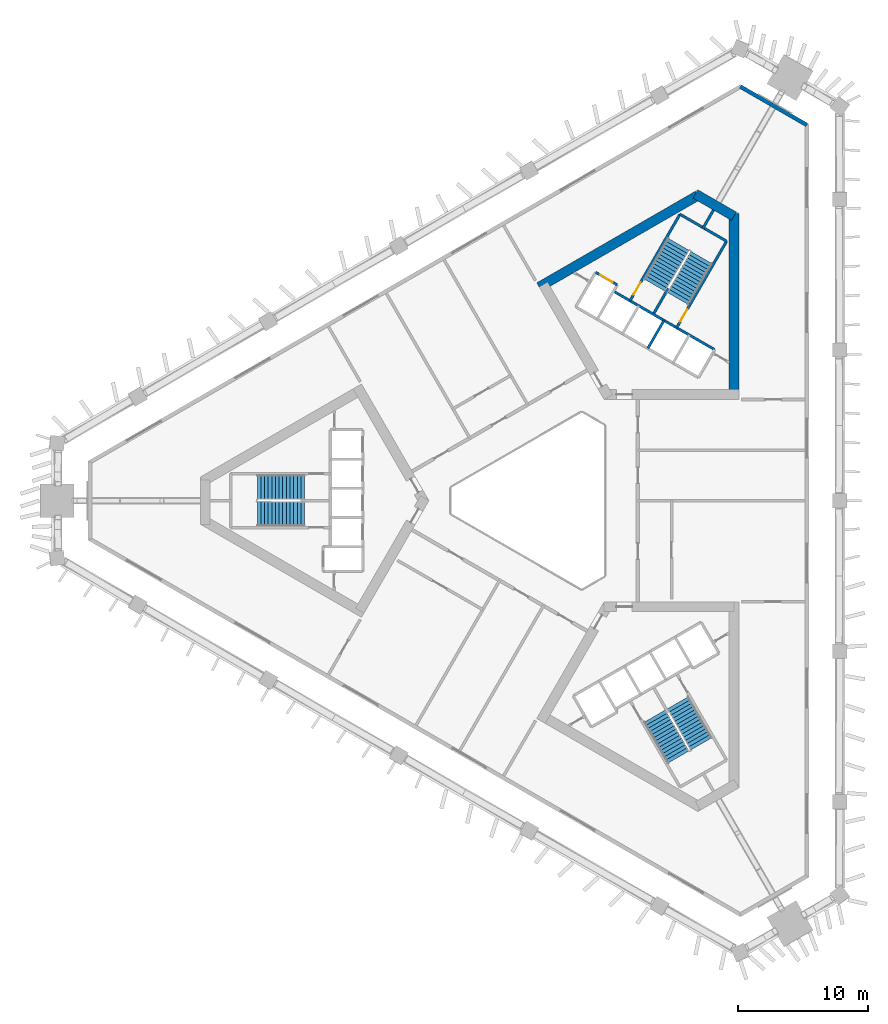
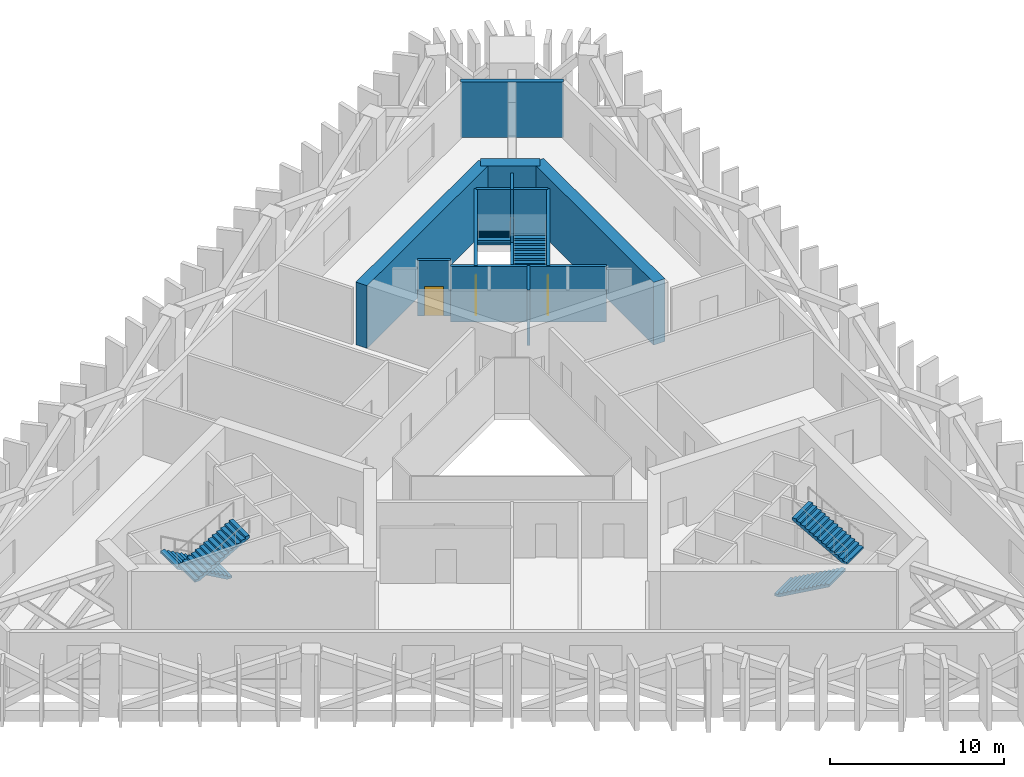
# One storey, part 7 of 9: 12 walls, 6 stair flights, 3 doors, 3 openings, 3 elements without a shape of their own.
"""IFC4 building model written with IfcOpenShell, lengths in metres."""

from ifc_helpers import new_model, si_unit, direction, frame, frame_2d, origin, place, context, subcontext, project, spatial, polyline, rectangle, outline, extrude, material, layer, layer_set, type_object, element, fill, aggregate, save


model = new_model("IFC4")

# Units and contexts
model_context = context("Model", 3, precision=1e-05, world=origin(), true_north=direction((0.0, 1.0)))
body_context = subcontext(model_context, "Body", "Model", "MODEL_VIEW")
ifc_project = project(units=[si_unit("LENGTHUNIT", "METRE"), si_unit("AREAUNIT", "SQUARE_METRE"), si_unit("VOLUMEUNIT", "CUBIC_METRE"), si_unit("PLANEANGLEUNIT", "RADIAN"), si_unit("MASSUNIT", "GRAM", prefix="KILO")], contexts=[model_context])

# Site, building, storey
site_placement = place(None, origin())
site = spatial("IfcSite", under=ifc_project, at=site_placement, CompositionType="ELEMENT")
building_placement = place(site_placement, origin())
building = spatial("IfcBuilding", under=site, at=building_placement, Name="Jabali Bay Hotel Tower and Convention Centre", CompositionType="ELEMENT")
storey_placement = place(building_placement, frame((0.0, 0.0, 98.0)))
storey = spatial("IfcBuildingStorey", under=building, at=storey_placement, Name="L23", CompositionType="ELEMENT", Elevation=98.0)

# Wall
ifc_material_1 = material(Name="Concrete C40", Category="concrete")
ifc_layer_1 = layer(ifc_material_1, 0.199951171875)
ifc_layer_set_1 = layer_set([ifc_layer_1], Name="Concrete C40")
wall_type_1 = type_object("IfcWallType", Name="Core partition wall 200", PredefinedType="PARTITIONING", material=ifc_layer_set_1)
wall_1_placement = place(storey_placement, frame((87.090087890625, 100.9404296875, 0.0), z_axis=(0.0, 0.0, 1.0), x_axis=(0.499937194881, 0.866061661301, 0.0)))
element("IfcWall", 1, at=wall_1_placement, inside=storey, type_object=wall_type_1, Name="Core wall 1.5 L23", PredefinedType="PARTITIONING", context=body_context, shape_type="SweptSolid", body=[
    extrude(rectangle(XDim=1.673095703125, YDim=0.199951171875, at=frame_2d((0.83642578125, 0.0))), origin(), (0.0, 0.0, 1.0), 3.89990234375),
])

# Wall, opening, door
ifc_layer_2 = layer(ifc_material_1, 0.199951171875)
ifc_layer_set_2 = layer_set([ifc_layer_2], Name="Concrete C40")
wall_type_2 = type_object("IfcWallType", Name="Core stair wall 200", PredefinedType="SOLIDWALL", material=ifc_layer_set_2)
wall_2_placement = place(storey_placement, frame((85.0869140625, 93.3212890625, 0.0), z_axis=(0.0, 0.0, 1.0), x_axis=(0.500019787375, 0.866013979237, 0.0)))
wall_2 = element("IfcWall", 2, at=wall_2_placement, inside=storey, type_object=wall_type_2, Name="Core wall 1.2 L23", PredefinedType="SOLIDWALL", context=body_context, shape_type="SweptSolid", body=[
    extrude(rectangle(XDim=7.699951171875, YDim=0.199951171875, at=frame_2d((3.85009765625, 0.0))), origin(), (0.0, 0.0, 1.0), 3.89990234375),
])
opening_1_placement = place(wall_2_placement, frame((0.550048828125, 0.0, 0.0)))
opening_1 = element("IfcOpeningElement", 3, at=opening_1_placement, cuts=wall_2, Name="Opening D539", PredefinedType="OPENING", context=body_context, shape_type="SweptSolid", body=[
    extrude(rectangle(XDim=1.10009765625, YDim=2.10009765625, at=frame_2d((0.550048828125, 1.050048828125))), frame((0.0, 0.1103515625, 0.0), z_axis=(0.0, -1.0, 0.0), x_axis=(1.0, 0.0, 0.0)), (0.0, 0.0, 1.0), 0.220947265625),
])
ifc_material_2 = material(Name="Fire-rated steel door", Category="steel")
door_type_1 = type_object("IfcDoorType", Name="Stair fire door 1100 x 2100", OperationType="NOTDEFINED", PredefinedType="NOTDEFINED", material=ifc_material_2)
door_1_placement = place(opening_1_placement, origin())
door_1 = element("IfcDoor", 4, at=door_1_placement, inside=storey, type_object=door_type_1, Name="Stair fire door D539", OperationType="SINGLE_SWING_LEFT", OverallHeight=2.10009765625, OverallWidth=1.10009765625, PredefinedType="NOTDEFINED", context=body_context, shape_type="SweptSolid", body=[
    extrude(rectangle(XDim=1.10009765625, YDim=2.10009765625, at=frame_2d((0.550048828125, 1.050048828125))), frame((0.0, 0.02490234375, 0.0), z_axis=(0.0, -1.0, 0.0), x_axis=(1.0, 0.0, 0.0)), (0.0, 0.0, 1.0), 0.050048828125),
])
fill(opening_1, door_1)

# Walls
wall_3_placement = place(storey_placement, frame((82.872802734375, 91.73583984375, 0.0), z_axis=(0.0, 0.0, 1.0), x_axis=(0.499961042966, 0.86604789447, 0.0)))
element("IfcWall", 5, at=wall_3_placement, inside=storey, type_object=wall_type_2, Name="Core wall 1.3 L23", PredefinedType="SOLIDWALL", context=body_context, shape_type="SweptSolid", body=[
    extrude(rectangle(XDim=2.480224609375, YDim=0.199951171875, at=frame_2d((1.240234375, 0.0))), origin(), (0.0, 0.0, 1.0), 3.89990234375),
])
wall_4_placement = place(storey_placement, frame((83.340087890625, 94.4453125, 0.0), z_axis=(0.0, 0.0, 1.0), x_axis=(0.499946605688, 0.86605622881, 0.0)))
element("IfcWall", 6, at=wall_4_placement, inside=storey, type_object=wall_type_2, Name="Core wall 1.4 L23", PredefinedType="SOLIDWALL", context=body_context, shape_type="SweptSolid", body=[
    extrude(rectangle(XDim=2.199951171875, YDim=0.199951171875, at=frame_2d((1.10009765625, 0.0))), origin(), (0.0, 0.0, 1.0), 3.89990234375),
])

# Wall, opening, door
wall_5_placement = place(storey_placement, frame((81.492919921875, 95.396240234375, 0.0), z_axis=(0.0, 0.0, 1.0), x_axis=(0.500006057782, 0.866021906294, 0.0)))
wall_5 = element("IfcWall", 7, at=wall_5_placement, inside=storey, type_object=wall_type_2, Name="Core wall 1.7 L23", PredefinedType="SOLIDWALL", context=body_context, shape_type="SweptSolid", body=[
    extrude(rectangle(XDim=7.7001953125, YDim=0.199951171875, at=frame_2d((3.85009765625, 0.0))), origin(), (0.0, 0.0, 1.0), 3.89990234375),
])
opening_2_placement = place(wall_5_placement, frame((0.550048828125, 0.0, 0.0)))
opening_2 = element("IfcOpeningElement", 8, at=opening_2_placement, cuts=wall_5, Name="Opening D538", PredefinedType="OPENING", context=body_context, shape_type="SweptSolid", body=[
    extrude(rectangle(XDim=1.10009765625, YDim=2.10009765625, at=frame_2d((0.550048828125, 1.050048828125))), frame((0.0, 0.1103515625, 0.0), z_axis=(0.0, -1.0, 0.0), x_axis=(1.0, 0.0, 0.0)), (0.0, 0.0, 1.0), 0.220947265625),
])
door_2_placement = place(opening_2_placement, origin())
door_2 = element("IfcDoor", 9, at=door_2_placement, inside=storey, type_object=door_type_1, Name="Stair fire door D538", OperationType="SINGLE_SWING_RIGHT", OverallHeight=2.10009765625, OverallWidth=1.10009765625, PredefinedType="NOTDEFINED", context=body_context, shape_type="SweptSolid", body=[
    extrude(rectangle(XDim=1.10009765625, YDim=2.10009765625, at=frame_2d((0.550048828125, 1.050048828125))), frame((0.0, 0.02490234375, 0.0), z_axis=(0.0, -1.0, 0.0), x_axis=(1.0, 0.0, 0.0)), (0.0, 0.0, 1.0), 0.050048828125),
])
fill(opening_2, door_2)

# Wall
wall_6_placement = place(storey_placement, frame((88.009765625, 91.6337890625, 0.0), z_axis=(0.0, 0.0, 1.0), x_axis=(-0.866024315419, 0.5000018851, 0.0)))
element("IfcWall", 10, at=wall_6_placement, inside=storey, type_object=wall_type_2, Name="Core wall 1.13 L23", PredefinedType="SOLIDWALL", context=body_context, shape_type="SweptSolid", body=[
    extrude(rectangle(XDim=9.0, YDim=0.199951171875, at=frame_2d((4.5, 0.0))), origin(), (0.0, 0.0, 1.0), 3.89990234375),
])

# Wall, opening, door
wall_7_placement = place(storey_placement, frame((80.50048828125, 96.62744140625, 0.0), z_axis=(0.0, 0.0, 1.0), x_axis=(-0.86601224135, 0.500022797313, 0.0)))
wall_7 = element("IfcWall", 11, at=wall_7_placement, inside=storey, type_object=wall_type_2, Name="Core wall 1.14 L23", PredefinedType="SOLIDWALL", context=body_context, shape_type="SweptSolid", body=[
    extrude(rectangle(XDim=1.89990234375, YDim=0.199951171875, at=frame_2d((0.949951171875, 0.0))), origin(), (0.0, 0.0, 1.0), 3.89990234375),
])
opening_3_placement = place(wall_7_placement, frame((0.39990234375, 0.0, 0.0)))
opening_3 = element("IfcOpeningElement", 12, at=opening_3_placement, cuts=wall_7, Name="Opening LD10-L23", PredefinedType="OPENING", context=body_context, shape_type="SweptSolid", body=[
    extrude(rectangle(XDim=1.10009765625, YDim=2.10009765625, at=frame_2d((0.550048828125, 1.050048828125))), frame((0.0, 0.1103515625, 0.0), z_axis=(0.0, -1.0, 0.0), x_axis=(1.0, 0.0, 0.0)), (0.0, 0.0, 1.0), 0.220947265625),
])
ifc_material_3 = material(Name="Stainless steel landing door", Category="steel")
door_type_2 = type_object("IfcDoorType", Name="Landing door 1100 x 2100", OperationType="NOTDEFINED", PredefinedType="NOTDEFINED", material=ifc_material_3)
door_3_placement = place(opening_3_placement, origin())
door_3 = element("IfcDoor", 13, at=door_3_placement, inside=storey, type_object=door_type_2, Name="Landing doors LD10-L23", OperationType="SLIDING_TO_RIGHT", OverallHeight=2.10009765625, OverallWidth=1.10009765625, PredefinedType="NOTDEFINED", context=body_context, shape_type="SweptSolid", body=[
    extrude(rectangle(XDim=1.10009765625, YDim=2.10009765625, at=frame_2d((0.550048828125, 1.050048828125))), frame((0.0, 0.02490234375, 0.0), z_axis=(0.0, -1.0, 0.0), x_axis=(1.0, 0.0, 0.0)), (0.0, 0.0, 1.0), 0.050048828125),
])
fill(opening_3, door_3)

# Walls
wall_8_placement = place(storey_placement, frame((88.93701171875, 99.989501953125, 0.0), z_axis=(0.0, 0.0, 1.0), x_axis=(-0.866004344652, 0.500036473714, 0.0)))
element("IfcWall", 14, at=wall_8_placement, inside=storey, type_object=wall_type_2, Name="Core wall 1.15 L23", PredefinedType="SOLIDWALL", context=body_context, shape_type="SweptSolid", body=[
    extrude(rectangle(XDim=4.150146484375, YDim=0.199951171875, at=frame_2d((2.0751953125, 0.0))), origin(), (0.0, 0.0, 1.0), 3.89990234375),
])
ifc_material_4 = material(Name="Concrete C60", Category="concrete")
ifc_layer_3 = layer(ifc_material_4, 0.75)
ifc_layer_set_3 = layer_set([ifc_layer_3], Name="Concrete C60")
wall_type_3 = type_object("IfcWallType", Name="Core wall 750", PredefinedType="SHEAR", material=ifc_layer_set_3)
wall_9_placement = place(storey_placement, frame((89.5048828125, 88.169189453125, 0.0), z_axis=(0.0, 0.0, 1.0), x_axis=(0.0, 1.0, 0.0)))
element("IfcWall", 15, at=wall_9_placement, inside=storey, type_object=wall_type_3, Name="Core wall 2.2 L23", PredefinedType="SHEAR", context=body_context, shape_type="SweptSolid", body=[
    extrude(rectangle(XDim=13.95849609375, YDim=0.75, at=frame_2d((6.979248046875, 0.0))), origin(), (0.0, 0.0, 1.0), 4.39990234375),
])
wall_10_placement = place(storey_placement, frame((89.5048828125, 101.9111328125, 0.0), z_axis=(0.0, 0.0, 1.0), x_axis=(-0.866017201164, 0.500014207086, 0.0)))
element("IfcWall", 16, at=wall_10_placement, inside=storey, type_object=wall_type_3, Name="Core wall 2.3 L23", PredefinedType="SHEAR", context=body_context, shape_type="SweptSolid", body=[
    extrude(rectangle(XDim=3.4287109375, YDim=0.75, at=frame_2d((1.71435546875, 0.0))), origin(), (0.0, 0.0, 1.0), 4.39990234375),
])
wall_11_placement = place(storey_placement, frame((86.72314453125, 103.517333984375, 0.0), z_axis=(0.0, 0.0, 1.0), x_axis=(-0.866020851292, -0.500007885066, 0.0)))
element("IfcWall", 17, at=wall_11_placement, inside=storey, type_object=wall_type_3, Name="Core wall 2.4 L23", PredefinedType="SHEAR", context=body_context, shape_type="SweptSolid", body=[
    extrude(rectangle(XDim=14.116943359375, YDim=0.75, at=frame_2d((7.05859375, 0.0))), origin(), (0.0, 0.0, 1.0), 4.39990234375),
])
ifc_layer_4 = layer(ifc_material_1, 0.300048828125)
ifc_layer_set_4 = layer_set([ifc_layer_4], Name="Concrete C40")
wall_type_4 = type_object("IfcWallType", Name="External wall 300", PredefinedType="SOLIDWALL", material=ifc_layer_set_4)
wall_12_placement = place(storey_placement, frame((89.998291015625, 111.900146484375, 0.0), z_axis=(0.0, 0.0, 1.0), x_axis=(0.8660249478, -0.500000789788, 0.0)))
element("IfcWall", 18, at=wall_12_placement, inside=storey, type_object=wall_type_4, Name="External wall north-east chamfer L23", PredefinedType="SOLIDWALL", context=body_context, shape_type="SweptSolid", body=[
    extrude(rectangle(XDim=5.92236328125, YDim=0.300048828125, at=frame_2d((2.961181640625, 0.0))), origin(), (0.0, 0.0, 1.0), 3.89990234375),
])

# Stair, stair flights
stair_type = type_object("IfcStairType", Name="Exit stair 1900", PredefinedType="HALF_TURN_STAIR", material=ifc_material_1)
stair_1_placement = place(storey_placement, origin())
stair_1 = element("IfcStair", 19, at=stair_1_placement, inside=storey, type_object=stair_type, Name="L23 Exit Stair 1", PredefinedType="HALF_TURN_STAIR")
stair_flight_type = type_object("IfcStairFlightType", Name="Stair flight concrete 150", PredefinedType="STRAIGHT", material=ifc_material_1)
stair_flight_1_placement = place(storey_placement, frame((56.419921875, 81.02490234375, 0.0), z_axis=(0.0, 0.0, 1.0), x_axis=(-1.0, 0.0, 0.0)))
stair_flight_1 = element("IfcStairFlight", 20, at=stair_flight_1_placement, type_object=stair_flight_type, Name="ST1 flight 1", NumberOfRisers=14, NumberOfTreads=13, PredefinedType="STRAIGHT", RiserHeight=0.157142857, TreadLength=0.28, context=body_context, shape_type="SweptSolid", body=[
    extrude(outline(polyline([(0.0, 0.0), (0.0, 0.1572265625), (0.280029296875, 0.1572265625), (0.280029296875, 0.314208984375), (0.56005859375, 0.314208984375), (0.56005859375, 0.471435546875), (0.840087890625, 0.471435546875), (0.840087890625, 0.628662109375), (1.1201171875, 0.628662109375), (1.1201171875, 0.78564453125), (1.39990234375, 0.78564453125), (1.39990234375, 0.94287109375), (1.679931640625, 0.94287109375), (1.679931640625, 1.10009765625), (1.9599609375, 1.10009765625), (1.9599609375, 1.257080078125), (2.239990234375, 1.257080078125), (2.239990234375, 1.414306640625), (2.52001953125, 1.414306640625), (2.52001953125, 1.571533203125), (2.800048828125, 1.571533203125), (2.800048828125, 1.728515625), (3.080078125, 1.728515625), (3.080078125, 1.8857421875), (3.360107421875, 1.8857421875), (3.360107421875, 2.04296875), (3.639892578125, 2.04296875), (3.639892578125, 2.199951171875), (3.639892578125, 1.870849609375), (0.306396484375, 0.0), (0.0, 0.0)])), frame((0.0, 0.949951171875, 0.0), z_axis=(0.0, -1.0, 0.0), x_axis=(1.0, 0.0, 0.0)), (0.0, 0.0, 1.0), 1.89990234375),
])
stair_flight_2_placement = place(storey_placement, frame((52.780029296875, 78.97509765625, 2.199951171875), z_axis=(0.0, 0.0, 1.0), x_axis=(1.0, 0.0, 0.0)))
stair_flight_2 = element("IfcStairFlight", 21, at=stair_flight_2_placement, type_object=stair_flight_type, Name="ST1 flight 2", NumberOfRisers=14, NumberOfTreads=13, PredefinedType="STRAIGHT", RiserHeight=0.157142857, TreadLength=0.28, context=body_context, shape_type="SweptSolid", body=[
    extrude(outline(polyline([(0.0, 0.0), (0.0, 0.1572265625), (0.280029296875, 0.1572265625), (0.280029296875, 0.314208984375), (0.56005859375, 0.314208984375), (0.56005859375, 0.471435546875), (0.840087890625, 0.471435546875), (0.840087890625, 0.628662109375), (1.1201171875, 0.628662109375), (1.1201171875, 0.78564453125), (1.39990234375, 0.78564453125), (1.39990234375, 0.94287109375), (1.679931640625, 0.94287109375), (1.679931640625, 1.10009765625), (1.9599609375, 1.10009765625), (1.9599609375, 1.257080078125), (2.239990234375, 1.257080078125), (2.239990234375, 1.414306640625), (2.52001953125, 1.414306640625), (2.52001953125, 1.571533203125), (2.800048828125, 1.571533203125), (2.800048828125, 1.728515625), (3.080078125, 1.728515625), (3.080078125, 1.8857421875), (3.360107421875, 1.8857421875), (3.360107421875, 2.04296875), (3.639892578125, 2.04296875), (3.639892578125, 2.199951171875), (3.639892578125, 1.870849609375), (0.306396484375, 0.0), (0.0, 0.0)])), frame((0.0, 0.949951171875, 0.0), z_axis=(0.0, -1.0, 0.0), x_axis=(1.0, 0.0, 0.0)), (0.0, 0.0, 1.0), 1.89990234375),
])
aggregate(stair_1, [stair_flight_1, stair_flight_2])

stair_2_placement = place(storey_placement, origin())
stair_2 = element("IfcStair", 22, at=stair_2_placement, inside=storey, type_object=stair_type, Name="L23 Exit Stair 2", PredefinedType="HALF_TURN_STAIR")
stair_flight_3_placement = place(storey_placement, frame((85.177734375, 95.578369140625, 0.0), z_axis=(0.0, 0.0, 1.0), x_axis=(0.5, 0.866025403784, 0.0)))
stair_flight_3 = element("IfcStairFlight", 23, at=stair_flight_3_placement, type_object=stair_flight_type, Name="ST2 flight 1", NumberOfRisers=14, NumberOfTreads=13, PredefinedType="STRAIGHT", RiserHeight=0.157142857, TreadLength=0.28, context=body_context, shape_type="SweptSolid", body=[
    extrude(outline(polyline([(0.0, 0.0), (0.0, 0.1572265625), (0.280029296875, 0.1572265625), (0.280029296875, 0.314208984375), (0.56005859375, 0.314208984375), (0.56005859375, 0.471435546875), (0.840087890625, 0.471435546875), (0.840087890625, 0.628662109375), (1.1201171875, 0.628662109375), (1.1201171875, 0.78564453125), (1.39990234375, 0.78564453125), (1.39990234375, 0.94287109375), (1.679931640625, 0.94287109375), (1.679931640625, 1.10009765625), (1.9599609375, 1.10009765625), (1.9599609375, 1.257080078125), (2.239990234375, 1.257080078125), (2.239990234375, 1.414306640625), (2.52001953125, 1.414306640625), (2.52001953125, 1.571533203125), (2.800048828125, 1.571533203125), (2.800048828125, 1.728515625), (3.080078125, 1.728515625), (3.080078125, 1.8857421875), (3.360107421875, 1.8857421875), (3.360107421875, 2.04296875), (3.639892578125, 2.04296875), (3.639892578125, 2.199951171875), (3.639892578125, 1.870849609375), (0.306396484375, 0.0), (0.0, 0.0)])), frame((0.0, 0.949951171875, 0.0), z_axis=(0.0, -1.0, 0.0), x_axis=(1.0, 0.0, 0.0)), (0.0, 0.0, 1.0), 1.89990234375),
])
stair_flight_4_placement = place(storey_placement, frame((85.222412109375, 99.755615234375, 2.199951171875), z_axis=(0.0, 0.0, 1.0), x_axis=(-0.5, -0.866025403784, 0.0)))
stair_flight_4 = element("IfcStairFlight", 24, at=stair_flight_4_placement, type_object=stair_flight_type, Name="ST2 flight 2", NumberOfRisers=14, NumberOfTreads=13, PredefinedType="STRAIGHT", RiserHeight=0.157142857, TreadLength=0.28, context=body_context, shape_type="SweptSolid", body=[
    extrude(outline(polyline([(0.0, 0.0), (0.0, 0.1572265625), (0.280029296875, 0.1572265625), (0.280029296875, 0.314208984375), (0.56005859375, 0.314208984375), (0.56005859375, 0.471435546875), (0.840087890625, 0.471435546875), (0.840087890625, 0.628662109375), (1.1201171875, 0.628662109375), (1.1201171875, 0.78564453125), (1.39990234375, 0.78564453125), (1.39990234375, 0.94287109375), (1.679931640625, 0.94287109375), (1.679931640625, 1.10009765625), (1.9599609375, 1.10009765625), (1.9599609375, 1.257080078125), (2.239990234375, 1.257080078125), (2.239990234375, 1.414306640625), (2.52001953125, 1.414306640625), (2.52001953125, 1.571533203125), (2.800048828125, 1.571533203125), (2.800048828125, 1.728515625), (3.080078125, 1.728515625), (3.080078125, 1.8857421875), (3.360107421875, 1.8857421875), (3.360107421875, 2.04296875), (3.639892578125, 2.04296875), (3.639892578125, 2.199951171875), (3.639892578125, 1.870849609375), (0.306396484375, 0.0), (0.0, 0.0)])), frame((0.0, 0.949951171875, 0.0), z_axis=(0.0, -1.0, 0.0), x_axis=(1.0, 0.0, 0.0)), (0.0, 0.0, 1.0), 1.89990234375),
])
aggregate(stair_2, [stair_flight_3, stair_flight_4])

stair_3_placement = place(storey_placement, origin())
stair_3 = element("IfcStair", 25, at=stair_3_placement, inside=storey, type_object=stair_type, Name="L23 Exit Stair 3", PredefinedType="HALF_TURN_STAIR")
stair_flight_5_placement = place(storey_placement, frame((83.40234375, 63.396728515625, 0.0), z_axis=(0.0, 0.0, 1.0), x_axis=(0.5, -0.866025403784, 0.0)))
stair_flight_5 = element("IfcStairFlight", 26, at=stair_flight_5_placement, type_object=stair_flight_type, Name="ST3 flight 1", NumberOfRisers=14, NumberOfTreads=13, PredefinedType="STRAIGHT", RiserHeight=0.157142857, TreadLength=0.28, context=body_context, shape_type="SweptSolid", body=[
    extrude(outline(polyline([(0.0, 0.0), (0.0, 0.1572265625), (0.280029296875, 0.1572265625), (0.280029296875, 0.314208984375), (0.56005859375, 0.314208984375), (0.56005859375, 0.471435546875), (0.840087890625, 0.471435546875), (0.840087890625, 0.628662109375), (1.1201171875, 0.628662109375), (1.1201171875, 0.78564453125), (1.39990234375, 0.78564453125), (1.39990234375, 0.94287109375), (1.679931640625, 0.94287109375), (1.679931640625, 1.10009765625), (1.9599609375, 1.10009765625), (1.9599609375, 1.257080078125), (2.239990234375, 1.257080078125), (2.239990234375, 1.414306640625), (2.52001953125, 1.414306640625), (2.52001953125, 1.571533203125), (2.800048828125, 1.571533203125), (2.800048828125, 1.728515625), (3.080078125, 1.728515625), (3.080078125, 1.8857421875), (3.360107421875, 1.8857421875), (3.360107421875, 2.04296875), (3.639892578125, 2.04296875), (3.639892578125, 2.199951171875), (3.639892578125, 1.870849609375), (0.306396484375, 0.0), (0.0, 0.0)])), frame((0.0, 0.949951171875, 0.0), z_axis=(0.0, -1.0, 0.0), x_axis=(1.0, 0.0, 0.0)), (0.0, 0.0, 1.0), 1.89990234375),
])
stair_flight_6_placement = place(storey_placement, frame((86.99755859375, 61.26953125, 2.199951171875), z_axis=(0.0, 0.0, 1.0), x_axis=(-0.5, 0.866025403784, 0.0)))
stair_flight_6 = element("IfcStairFlight", 27, at=stair_flight_6_placement, type_object=stair_flight_type, Name="ST3 flight 2", NumberOfRisers=14, NumberOfTreads=13, PredefinedType="STRAIGHT", RiserHeight=0.157142857, TreadLength=0.28, context=body_context, shape_type="SweptSolid", body=[
    extrude(outline(polyline([(0.0, 0.0), (0.0, 0.1572265625), (0.280029296875, 0.1572265625), (0.280029296875, 0.314208984375), (0.56005859375, 0.314208984375), (0.56005859375, 0.471435546875), (0.840087890625, 0.471435546875), (0.840087890625, 0.628662109375), (1.1201171875, 0.628662109375), (1.1201171875, 0.78564453125), (1.39990234375, 0.78564453125), (1.39990234375, 0.94287109375), (1.679931640625, 0.94287109375), (1.679931640625, 1.10009765625), (1.9599609375, 1.10009765625), (1.9599609375, 1.257080078125), (2.239990234375, 1.257080078125), (2.239990234375, 1.414306640625), (2.52001953125, 1.414306640625), (2.52001953125, 1.571533203125), (2.800048828125, 1.571533203125), (2.800048828125, 1.728515625), (3.080078125, 1.728515625), (3.080078125, 1.8857421875), (3.360107421875, 1.8857421875), (3.360107421875, 2.04296875), (3.639892578125, 2.04296875), (3.639892578125, 2.199951171875), (3.639892578125, 1.870849609375), (0.306396484375, 0.0), (0.0, 0.0)])), frame((0.0, 0.949951171875, 0.0), z_axis=(0.0, -1.0, 0.0), x_axis=(1.0, 0.0, 0.0)), (0.0, 0.0, 1.0), 1.89990234375),
])
aggregate(stair_3, [stair_flight_5, stair_flight_6])

save(model, "model.ifc")
